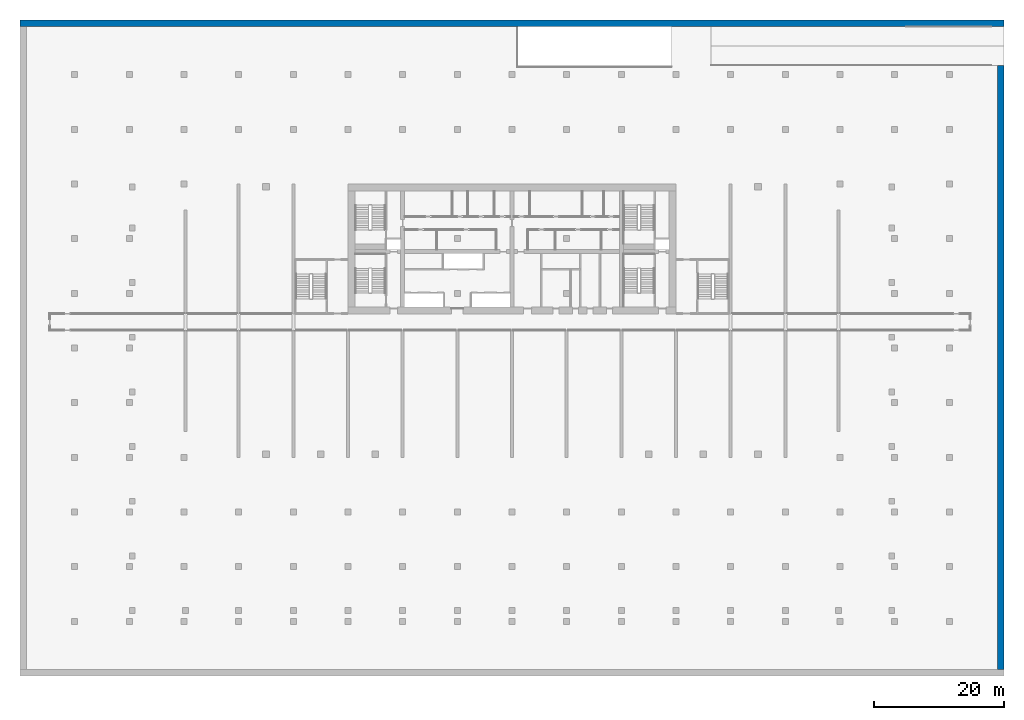
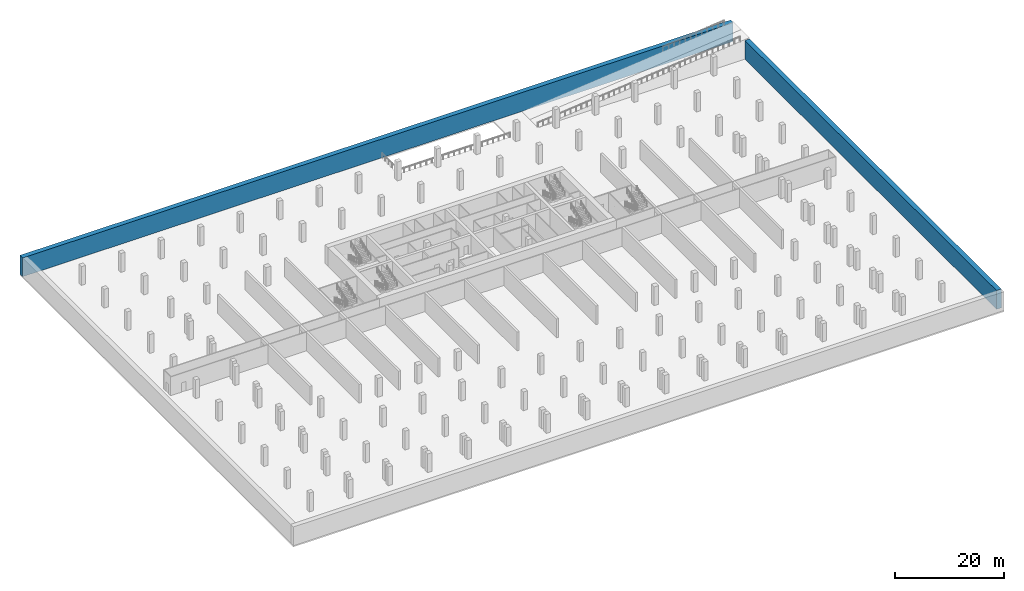
# One storey, part 9 of 12: 2 walls.
"""IFC4 building model written with IfcOpenShell, lengths in metres."""

from ifc_helpers import new_model, si_unit, direction, frame, frame_2d, origin, place, context, subcontext, project, spatial, rectangle, extrude, source, transform, mapped, material, layer, layer_set, type_object, element, save


model = new_model("IFC4")

# Units and contexts
model_context = context("Model", 3, precision=1e-05, world=origin(), true_north=direction((0.0, 1.0)))
body_context = subcontext(model_context, "Body", "Model", "MODEL_VIEW")
ifc_project = project(units=[si_unit("LENGTHUNIT", "METRE"), si_unit("AREAUNIT", "SQUARE_METRE"), si_unit("VOLUMEUNIT", "CUBIC_METRE"), si_unit("PLANEANGLEUNIT", "RADIAN"), si_unit("MASSUNIT", "GRAM", prefix="KILO")], contexts=[model_context])

# Site, building, storey
site_placement = place(None, origin())
site = spatial("IfcSite", under=ifc_project, at=site_placement, CompositionType="ELEMENT")
building_placement = place(site_placement, origin())
building = spatial("IfcBuilding", under=site, at=building_placement, Name="Vanashikhar Sky Hotel", CompositionType="ELEMENT")
storey_placement = place(building_placement, frame((0.0, 0.0, -4.5)))
storey = spatial("IfcBuildingStorey", under=building, at=storey_placement, Name="B1", CompositionType="ELEMENT", Elevation=-4.5)

# Walls
ifc_material = material(Name="Concrete M50", Category="concrete")
ifc_layer = layer(ifc_material, 1.0)
ifc_layer_set = layer_set([ifc_layer], Name="RC retaining wall 1000 Concrete M50")
wall_type = type_object("IfcWallType", Name="RC retaining wall 1000 Concrete M50", PredefinedType="SHEAR", material=ifc_layer_set)
shared_shape_1 = source(origin(), body_context, "Body", "SweptSolid", [
    extrude(rectangle(XDim=151.199951171875, YDim=1.0, at=frame_2d((75.60009765625, 0.0))), origin(), (0.0, 0.0, 1.0), 4.219970703125),
])
wall_1_placement = place(storey_placement, frame((-25.199951171875, 66.699951171875, 0.0), z_axis=(0.0, 0.0, 1.0), x_axis=(1.0, 0.0, 0.0)))
element("IfcWall", 1, at=wall_1_placement, inside=storey, type_object=wall_type, Name="RW-B1-N", PredefinedType="SHEAR", context=body_context, shape_type="MappedRepresentation", body=[
    mapped(shared_shape_1, transform((0.0, 0.0, 0.0), scale=1.0)),
])
shared_shape_2 = source(origin(), body_context, "Body", "SweptSolid", [
    extrude(rectangle(XDim=92.800048828125, YDim=1.0, at=frame_2d((46.39990234375, 0.0))), origin(), (0.0, 0.0, 1.0), 4.219970703125),
])
wall_2_placement = place(storey_placement, frame((125.5, -32.60009765625, 0.0), z_axis=(0.0, 0.0, 1.0), x_axis=(0.0, 1.0, 0.0)))
element("IfcWall", 2, at=wall_2_placement, inside=storey, type_object=wall_type, Name="RW-B1-E", PredefinedType="SHEAR", context=body_context, shape_type="MappedRepresentation", body=[
    mapped(shared_shape_2, transform((0.0, 0.0, 0.0), scale=1.0)),
])

save(model, "model.ifc")
